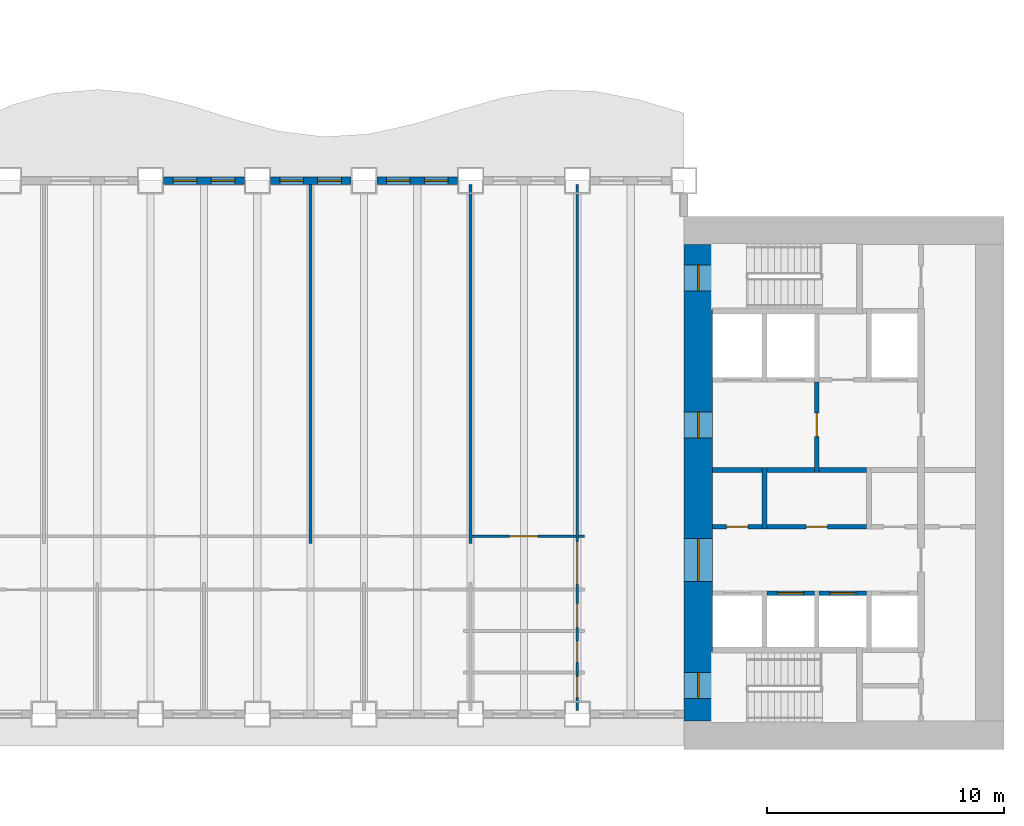
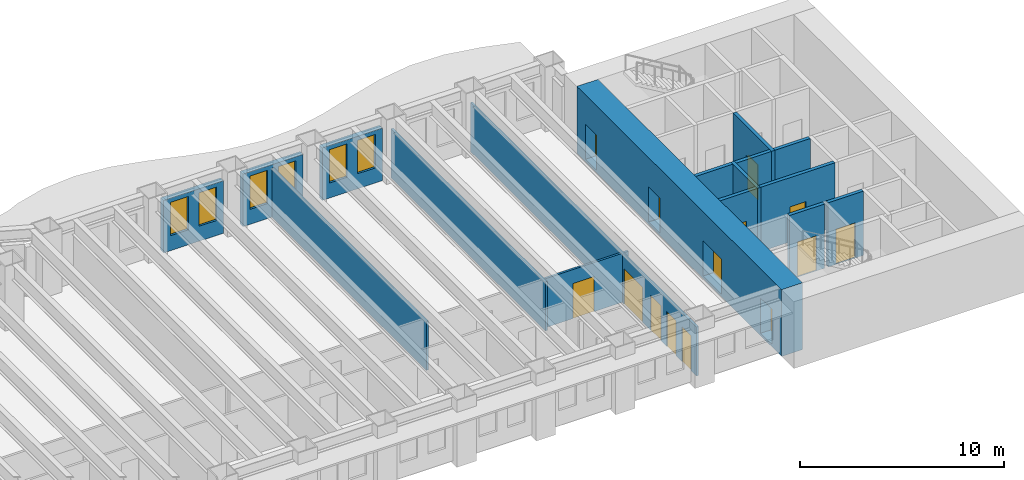
# One storey, part 6 of 17: 18 walls, 14 doors, 6 windows, 20 openings.
"""IFC4 building model written with IfcOpenShell, lengths in metres."""

from ifc_helpers import new_model, si_unit, direction, frame, frame_2d, origin, place, context, subcontext, project, spatial, rectangle, extrude, material, layer, layer_set, type_object, element, fill, save


model = new_model("IFC4")

# Units and contexts
model_context = context("Model", 3, precision=1e-05, world=origin(), true_north=direction((0.0, 1.0)))
body_context = subcontext(model_context, "Body", "Model", "MODEL_VIEW")
ifc_project = project(units=[si_unit("LENGTHUNIT", "METRE"), si_unit("AREAUNIT", "SQUARE_METRE"), si_unit("VOLUMEUNIT", "CUBIC_METRE"), si_unit("PLANEANGLEUNIT", "RADIAN"), si_unit("MASSUNIT", "GRAM", prefix="KILO")], contexts=[model_context])

# Site, building, storey
site_placement = place(None, origin())
site = spatial("IfcSite", under=ifc_project, at=site_placement, CompositionType="ELEMENT")
building_placement = place(site_placement, origin())
building = spatial("IfcBuilding", under=site, at=building_placement, Name="Sennacour Bend Tower", CompositionType="ELEMENT")
storey_placement = place(building_placement, frame((0.0, 0.0, 49.0)))
storey = spatial("IfcBuildingStorey", under=building, at=storey_placement, Name="L10", CompositionType="ELEMENT", Elevation=49.0)

# Wall, openings, doors
ifc_material_1 = material(Name="Concrete C80/95", Category="concrete")
ifc_layer_1 = layer(ifc_material_1, 1.199951171875, Name="Concrete C80/95", Category="concrete")
ifc_layer_set_1 = layer_set([ifc_layer_1], Name="Concrete C80/95")
wall_type_1 = type_object("IfcWallType", Name="Core wall 1200 C80/95", PredefinedType="SHEAR", material=ifc_layer_set_1)
wall_1_placement = place(storey_placement, frame((54.60009765625, 1.199951171875, -0.14990234375), z_axis=(0.0, 0.0, 1.0), x_axis=(0.0, 1.0, 0.0)))
wall_1 = element("IfcWall", 1, at=wall_1_placement, inside=storey, type_object=wall_type_1, Name="Core A wall L10 W", PredefinedType="SHEAR", context=body_context, shape_type="SweptSolid", body=[
    extrude(rectangle(XDim=20.10009765625, YDim=1.199951171875, at=frame_2d((10.050048828125, 0.0))), origin(), (0.0, 0.0, 1.0), 4.0),
])
opening_1_placement = place(wall_1_placement, frame((5.89990234375, 0.0, 0.14990234375)))
opening_1 = element("IfcOpeningElement", 2, at=opening_1_placement, cuts=wall_1, Name="Opening CD", PredefinedType="OPENING", context=body_context, shape_type="SweptSolid", body=[
    extrude(rectangle(XDim=1.800048828125, YDim=2.10009765625, at=frame_2d((0.89990234375, 1.050048828125))), frame((0.0, 0.60986328125, 0.0), z_axis=(0.0, -1.0, 0.0), x_axis=(1.0, 0.0, 0.0)), (0.0, 0.0, 1.0), 1.219970703125),
])
opening_2_placement = place(wall_1_placement, frame((11.949951171875, 0.0, 0.14990234375)))
opening_2 = element("IfcOpeningElement", 3, at=opening_2_placement, cuts=wall_1, Name="Opening FD", PredefinedType="OPENING", context=body_context, shape_type="SweptSolid", body=[
    extrude(rectangle(XDim=1.10009765625, YDim=2.10009765625, at=frame_2d((0.550048828125, 1.050048828125))), frame((0.0, 0.60986328125, 0.0), z_axis=(0.0, -1.0, 0.0), x_axis=(1.0, 0.0, 0.0)), (0.0, 0.0, 1.0), 1.219970703125),
])
opening_3_placement = place(wall_1_placement, frame((0.949951171875, 0.0, 0.14990234375)))
opening_3 = element("IfcOpeningElement", 4, at=opening_3_placement, cuts=wall_1, Name="Opening SD", PredefinedType="OPENING", context=body_context, shape_type="SweptSolid", body=[
    extrude(rectangle(XDim=1.10009765625, YDim=2.10009765625, at=frame_2d((0.550048828125, 1.050048828125))), frame((0.0, 0.60986328125, 0.0), z_axis=(0.0, -1.0, 0.0), x_axis=(1.0, 0.0, 0.0)), (0.0, 0.0, 1.0), 1.219970703125),
])
opening_4_placement = place(wall_1_placement, frame((18.14990234375, 0.0, 0.14990234375)))
opening_4 = element("IfcOpeningElement", 5, at=opening_4_placement, cuts=wall_1, Name="Opening SD", PredefinedType="OPENING", context=body_context, shape_type="SweptSolid", body=[
    extrude(rectangle(XDim=1.10009765625, YDim=2.10009765625, at=frame_2d((0.550048828125, 1.050048828125))), frame((0.0, 0.60986328125, 0.0), z_axis=(0.0, -1.0, 0.0), x_axis=(1.0, 0.0, 0.0)), (0.0, 0.0, 1.0), 1.219970703125),
])
ifc_material_2 = material(Name="Painted steel", Category="steel")
door_type_1 = type_object("IfcDoorType", Name="DR-FFL-1100", OperationType="NOTDEFINED", PredefinedType="DOOR", material=ifc_material_2)
door_1_placement = place(opening_2_placement, origin())
door_1 = element("IfcDoor", 6, at=door_1_placement, inside=storey, type_object=door_type_1, Name="Door", OperationType="SINGLE_SWING_RIGHT", OverallHeight=2.10009765625, OverallWidth=1.10009765625, PredefinedType="DOOR", context=body_context, shape_type="SweptSolid", body=[
    extrude(rectangle(XDim=1.10009765625, YDim=2.10009765625, at=frame_2d((0.550048828125, 1.050048828125))), frame((0.0, 0.02490234375, 0.0), z_axis=(0.0, -1.0, 0.0), x_axis=(1.0, 0.0, 0.0)), (0.0, 0.0, 1.0), 0.050048828125),
])
fill(opening_2, door_1)
door_type_2 = type_object("IfcDoorType", Name="DR-LOBBY-1800", OperationType="NOTDEFINED", PredefinedType="DOOR", material=ifc_material_2)
door_2_placement = place(opening_1_placement, origin())
door_2 = element("IfcDoor", 7, at=door_2_placement, inside=storey, type_object=door_type_2, Name="Door", OperationType="DOUBLE_DOOR_SINGLE_SWING", OverallHeight=2.10009765625, OverallWidth=1.800048828125, PredefinedType="DOOR", context=body_context, shape_type="SweptSolid", body=[
    extrude(rectangle(XDim=1.800048828125, YDim=2.10009765625, at=frame_2d((0.89990234375, 1.050048828125))), frame((0.0, 0.02490234375, 0.0), z_axis=(0.0, -1.0, 0.0), x_axis=(1.0, 0.0, 0.0)), (0.0, 0.0, 1.0), 0.050048828125),
])
fill(opening_1, door_2)
door_type_3 = type_object("IfcDoorType", Name="DR-STAIR-1100", OperationType="NOTDEFINED", PredefinedType="DOOR", material=ifc_material_2)
door_3_placement = place(opening_3_placement, origin())
door_3 = element("IfcDoor", 8, at=door_3_placement, inside=storey, type_object=door_type_3, Name="Door", OperationType="SINGLE_SWING_LEFT", OverallHeight=2.10009765625, OverallWidth=1.10009765625, PredefinedType="DOOR", context=body_context, shape_type="SweptSolid", body=[
    extrude(rectangle(XDim=1.10009765625, YDim=2.10009765625, at=frame_2d((0.550048828125, 1.050048828125))), frame((0.0, 0.02490234375, 0.0), z_axis=(0.0, -1.0, 0.0), x_axis=(1.0, 0.0, 0.0)), (0.0, 0.0, 1.0), 0.050048828125),
])
fill(opening_3, door_3)
door_4_placement = place(opening_4_placement, origin())
door_4 = element("IfcDoor", 9, at=door_4_placement, inside=storey, type_object=door_type_3, Name="Door", OperationType="SINGLE_SWING_RIGHT", OverallHeight=2.10009765625, OverallWidth=1.10009765625, PredefinedType="DOOR", context=body_context, shape_type="SweptSolid", body=[
    extrude(rectangle(XDim=1.10009765625, YDim=2.10009765625, at=frame_2d((0.550048828125, 1.050048828125))), frame((0.0, 0.02490234375, 0.0), z_axis=(0.0, -1.0, 0.0), x_axis=(1.0, 0.0, 0.0)), (0.0, 0.0, 1.0), 0.050048828125),
])
fill(opening_4, door_4)

# Walls
ifc_material_3 = material(Name="Plasterboard partition on steel studs", Category="steel")
ifc_layer_2 = layer(ifc_material_3, 0.1201171875, Name="Plasterboard partition on steel studs", Category="steel")
ifc_layer_set_2 = layer_set([ifc_layer_2], Name="Plasterboard partition on steel studs")
wall_type_2 = type_object("IfcWallType", Name="Partition 120", PredefinedType="PARTITIONING", material=ifc_layer_set_2)
for number, where, z_axis, x_axis, name in (
    (10, (38.25, 8.699951171875, 0.0), (0.0, 0.0, 1.0), (0.0, 1.0, 0.0), "P-L10-W030a"),
    (11, (45.0, 8.699951171875, 0.0), (0.0, 0.0, 1.0), (0.0, 1.0, 0.0), "P-L10-W033a"),
):
    element("IfcWall", number, at=place(storey_placement, frame(where, z_axis=z_axis, x_axis=x_axis)), inside=storey, type_object=wall_type_2, Name=name, PredefinedType="PARTITIONING", context=body_context, shape_type="SweptSolid", body=[
        extrude(rectangle(XDim=15.150146484375, YDim=0.1201171875, at=frame_2d((7.5751953125, 0.0))), origin(), (0.0, 0.0, 1.0), 2.93798828125),
    ])

# Wall, opening, door
wall_2_placement = place(storey_placement, frame((45.06005859375, 9.0, 0.0), z_axis=(0.0, 0.0, 1.0), x_axis=(1.0, 0.0, 0.0)))
wall_2 = element("IfcWall", 12, at=wall_2_placement, inside=storey, type_object=wall_type_2, Name="P-L10-W062af", PredefinedType="PARTITIONING", context=body_context, shape_type="SweptSolid", body=[
    extrude(rectangle(XDim=4.3798828125, YDim=0.1201171875, at=frame_2d((2.18994140625, 0.0))), origin(), (0.0, 0.0, 1.0), 2.93798828125),
])
opening_5_placement = place(wall_2_placement, frame((1.58984375, 0.0, 0.0)))
opening_5 = element("IfcOpeningElement", 13, at=opening_5_placement, cuts=wall_2, Name="Opening OD", PredefinedType="OPENING", context=body_context, shape_type="SweptSolid", body=[
    extrude(rectangle(XDim=1.199951171875, YDim=2.10009765625, at=frame_2d((0.60009765625, 1.050048828125))), frame((0.0, 0.070068359375, 0.0), z_axis=(0.0, -1.0, 0.0), x_axis=(1.0, 0.0, 0.0)), (0.0, 0.0, 1.0), 0.14013671875),
])
ifc_material_4 = material(Name="Timber", Category="wood")
door_type_4 = type_object("IfcDoorType", Name="DR-OFFICE-1200", OperationType="NOTDEFINED", PredefinedType="DOOR", material=ifc_material_4)
door_5_placement = place(opening_5_placement, origin())
door_5 = element("IfcDoor", 14, at=door_5_placement, inside=storey, type_object=door_type_4, Name="Door", OperationType="SINGLE_SWING_LEFT", OverallHeight=2.10009765625, OverallWidth=1.199951171875, PredefinedType="DOOR", context=body_context, shape_type="SweptSolid", body=[
    extrude(rectangle(XDim=1.199951171875, YDim=2.10009765625, at=frame_2d((0.60009765625, 1.050048828125))), frame((0.0, 0.02490234375, 0.0), z_axis=(0.0, -1.0, 0.0), x_axis=(1.0, 0.0, 0.0)), (0.0, 0.0, 1.0), 0.050048828125),
])
fill(opening_5, door_5)

# Wall
wall_3_placement = place(storey_placement, frame((49.56005859375, 9.0, 0.0), z_axis=(0.0, 0.0, 1.0), x_axis=(1.0, 0.0, 0.0)))
element("IfcWall", 15, at=wall_3_placement, inside=storey, type_object=wall_type_2, Name="P-L10-W062ag", PredefinedType="PARTITIONING", context=body_context, shape_type="SweptSolid", body=[
    extrude(rectangle(XDim=0.239990234375, YDim=0.1201171875, at=frame_2d((0.1201171875, 0.0))), origin(), (0.0, 0.0, 1.0), 2.93798828125),
])

# Wall, openings, doors
ifc_layer_3 = layer(ifc_material_3, 0.1201171875, Name="Plasterboard partition on steel studs", Category="steel")
ifc_layer_set_3 = layer_set([ifc_layer_3], Name="Plasterboard partition on steel studs")
wall_type_3 = type_object("IfcWallType", Name="Partition 120 EI 30", PredefinedType="PARTITIONING", material=ifc_layer_set_3)
wall_4_placement = place(storey_placement, frame((49.5, 1.64990234375, 0.0), z_axis=(0.0, 0.0, 1.0), x_axis=(0.0, 1.0, 0.0)))
wall_4 = element("IfcWall", 16, at=wall_4_placement, inside=storey, type_object=wall_type_3, Name="P-L10-W034a", PredefinedType="PARTITIONING", context=body_context, shape_type="SweptSolid", body=[
    extrude(rectangle(XDim=22.2001953125, YDim=0.1201171875, at=frame_2d((11.10009765625, 0.0))), origin(), (0.0, 0.0, 1.0), 2.93798828125),
])
opening_6_placement = place(wall_4_placement, frame((5.3251953125, 0.0, 0.0)))
opening_6 = element("IfcOpeningElement", 17, at=opening_6_placement, cuts=wall_4, Name="Opening KD3", PredefinedType="OPENING", context=body_context, shape_type="SweptSolid", body=[
    extrude(rectangle(XDim=1.800048828125, YDim=2.10009765625, at=frame_2d((0.89990234375, 1.050048828125))), frame((0.0, 0.070068359375, 0.0), z_axis=(0.0, -1.0, 0.0), x_axis=(1.0, 0.0, 0.0)), (0.0, 0.0, 1.0), 0.14013671875),
])
opening_7_placement = place(wall_4_placement, frame((0.5400390625, 0.0, 0.0)))
opening_7 = element("IfcOpeningElement", 18, at=opening_7_placement, cuts=wall_4, Name="Opening WD", PredefinedType="OPENING", context=body_context, shape_type="SweptSolid", body=[
    extrude(rectangle(XDim=0.89990234375, YDim=2.10009765625, at=frame_2d((0.449951171875, 1.050048828125))), frame((0.0, 0.070068359375, 0.0), z_axis=(0.0, -1.0, 0.0), x_axis=(1.0, 0.0, 0.0)), (0.0, 0.0, 1.0), 0.14013671875),
])
opening_8_placement = place(wall_4_placement, frame((2.025146484375, 0.0, 0.0)))
opening_8 = element("IfcOpeningElement", 19, at=opening_8_placement, cuts=wall_4, Name="Opening WD", PredefinedType="OPENING", context=body_context, shape_type="SweptSolid", body=[
    extrude(rectangle(XDim=0.89990234375, YDim=2.10009765625, at=frame_2d((0.449951171875, 1.050048828125))), frame((0.0, 0.070068359375, 0.0), z_axis=(0.0, -1.0, 0.0), x_axis=(1.0, 0.0, 0.0)), (0.0, 0.0, 1.0), 0.14013671875),
])
opening_9_placement = place(wall_4_placement, frame((3.510009765625, 0.0, 0.0)))
opening_9 = element("IfcOpeningElement", 20, at=opening_9_placement, cuts=wall_4, Name="Opening AD", PredefinedType="OPENING", context=body_context, shape_type="SweptSolid", body=[
    extrude(rectangle(XDim=1.0, YDim=2.10009765625, at=frame_2d((0.5, 1.050048828125))), frame((0.0, 0.070068359375, 0.0), z_axis=(0.0, -1.0, 0.0), x_axis=(1.0, 0.0, 0.0)), (0.0, 0.0, 1.0), 0.14013671875),
])
door_type_5 = type_object("IfcDoorType", Name="DR-ACC-WC-1000", OperationType="NOTDEFINED", PredefinedType="DOOR", material=ifc_material_4)
door_6_placement = place(opening_9_placement, origin())
door_6 = element("IfcDoor", 21, at=door_6_placement, inside=storey, type_object=door_type_5, Name="Door", OperationType="SINGLE_SWING_LEFT", OverallHeight=2.10009765625, OverallWidth=1.0, PredefinedType="DOOR", context=body_context, shape_type="SweptSolid", body=[
    extrude(rectangle(XDim=1.0, YDim=2.10009765625, at=frame_2d((0.5, 1.050048828125))), frame((0.0, 0.02490234375, 0.0), z_axis=(0.0, -1.0, 0.0), x_axis=(1.0, 0.0, 0.0)), (0.0, 0.0, 1.0), 0.050048828125),
])
fill(opening_9, door_6)
door_type_6 = type_object("IfcDoorType", Name="DR-CORRIDOR-1800", OperationType="NOTDEFINED", PredefinedType="DOOR", material=ifc_material_2)
door_7_placement = place(opening_6_placement, origin())
door_7 = element("IfcDoor", 22, at=door_7_placement, inside=storey, type_object=door_type_6, Name="Door", OperationType="DOUBLE_DOOR_SINGLE_SWING", OverallHeight=2.10009765625, OverallWidth=1.800048828125, PredefinedType="DOOR", context=body_context, shape_type="SweptSolid", body=[
    extrude(rectangle(XDim=1.800048828125, YDim=2.10009765625, at=frame_2d((0.89990234375, 1.050048828125))), frame((0.0, 0.02490234375, 0.0), z_axis=(0.0, -1.0, 0.0), x_axis=(1.0, 0.0, 0.0)), (0.0, 0.0, 1.0), 0.050048828125),
])
fill(opening_6, door_7)
door_type_7 = type_object("IfcDoorType", Name="DR-WC-900", OperationType="NOTDEFINED", PredefinedType="DOOR", material=ifc_material_4)
door_8_placement = place(opening_7_placement, origin())
door_8 = element("IfcDoor", 23, at=door_8_placement, inside=storey, type_object=door_type_7, Name="Door", OperationType="SINGLE_SWING_LEFT", OverallHeight=2.10009765625, OverallWidth=0.89990234375, PredefinedType="DOOR", context=body_context, shape_type="SweptSolid", body=[
    extrude(rectangle(XDim=0.89990234375, YDim=2.10009765625, at=frame_2d((0.449951171875, 1.050048828125))), frame((0.0, 0.02490234375, 0.0), z_axis=(0.0, -1.0, 0.0), x_axis=(1.0, 0.0, 0.0)), (0.0, 0.0, 1.0), 0.050048828125),
])
fill(opening_7, door_8)
door_9_placement = place(opening_8_placement, origin())
door_9 = element("IfcDoor", 24, at=door_9_placement, inside=storey, type_object=door_type_7, Name="Door", OperationType="SINGLE_SWING_LEFT", OverallHeight=2.10009765625, OverallWidth=0.89990234375, PredefinedType="DOOR", context=body_context, shape_type="SweptSolid", body=[
    extrude(rectangle(XDim=0.89990234375, YDim=2.10009765625, at=frame_2d((0.449951171875, 1.050048828125))), frame((0.0, 0.02490234375, 0.0), z_axis=(0.0, -1.0, 0.0), x_axis=(1.0, 0.0, 0.0)), (0.0, 0.0, 1.0), 0.050048828125),
])
fill(opening_8, door_9)

# Wall
ifc_material_5 = material(Name="Fire-rated plasterboard partition on steel studs", Category="steel")
ifc_layer_4 = layer(ifc_material_5, 0.199951171875, Name="Fire-rated plasterboard partition on steel studs", Category="steel")
ifc_layer_set_4 = layer_set([ifc_layer_4], Name="Fire-rated plasterboard partition on steel studs")
wall_type_4 = type_object("IfcWallType", Name="Rated partition 200", PredefinedType="PARTITIONING", material=ifc_layer_set_4)
wall_5_placement = place(storey_placement, frame((57.39990234375, 9.300048828125, 0.0), z_axis=(0.0, 0.0, 1.0), x_axis=(0.0, 1.0, 0.0)))
element("IfcWall", 25, at=wall_5_placement, inside=storey, type_object=wall_type_4, Name="P-L10-W037", PredefinedType="PARTITIONING", context=body_context, shape_type="SweptSolid", body=[
    extrude(rectangle(XDim=2.599853515625, YDim=0.199951171875, at=frame_2d((1.2998046875, 0.0))), origin(), (0.0, 0.0, 1.0), 3.85009765625),
])

# Wall, opening, door
wall_6_placement = place(storey_placement, frame((55.199951171875, 9.39990234375, 0.0), z_axis=(0.0, 0.0, 1.0), x_axis=(1.0, 0.0, 0.0)))
wall_6 = element("IfcWall", 26, at=wall_6_placement, inside=storey, type_object=wall_type_4, Name="P-L10-W063a", PredefinedType="PARTITIONING", context=body_context, shape_type="SweptSolid", body=[
    extrude(rectangle(XDim=2.10009765625, YDim=0.199951171875, at=frame_2d((1.050048828125, 0.0))), origin(), (0.0, 0.0, 1.0), 3.85009765625),
])
opening_10_placement = place(wall_6_placement, frame((0.60009765625, 0.0, 0.0)))
opening_10 = element("IfcOpeningElement", 27, at=opening_10_placement, cuts=wall_6, Name="Opening SV", PredefinedType="OPENING", context=body_context, shape_type="SweptSolid", body=[
    extrude(rectangle(XDim=0.89990234375, YDim=2.10009765625, at=frame_2d((0.449951171875, 1.050048828125))), frame((0.0, 0.10986328125, 0.0), z_axis=(0.0, -1.0, 0.0), x_axis=(1.0, 0.0, 0.0)), (0.0, 0.0, 1.0), 0.219970703125),
])
door_type_8 = type_object("IfcDoorType", Name="DR-SERVICE-900", OperationType="NOTDEFINED", PredefinedType="DOOR", material=ifc_material_2)
door_10_placement = place(opening_10_placement, origin())
door_10 = element("IfcDoor", 28, at=door_10_placement, inside=storey, type_object=door_type_8, Name="Door", OperationType="SINGLE_SWING_LEFT", OverallHeight=2.10009765625, OverallWidth=0.89990234375, PredefinedType="DOOR", context=body_context, shape_type="SweptSolid", body=[
    extrude(rectangle(XDim=0.89990234375, YDim=2.10009765625, at=frame_2d((0.449951171875, 1.050048828125))), frame((0.0, 0.02490234375, 0.0), z_axis=(0.0, -1.0, 0.0), x_axis=(1.0, 0.0, 0.0)), (0.0, 0.0, 1.0), 0.050048828125),
])
fill(opening_10, door_10)

wall_7_placement = place(storey_placement, frame((57.5, 9.39990234375, 0.0), z_axis=(0.0, 0.0, 1.0), x_axis=(1.0, 0.0, 0.0)))
wall_7 = element("IfcWall", 29, at=wall_7_placement, inside=storey, type_object=wall_type_4, Name="P-L10-W063b", PredefinedType="PARTITIONING", context=body_context, shape_type="SweptSolid", body=[
    extrude(rectangle(XDim=4.199951171875, YDim=0.199951171875, at=frame_2d((2.10009765625, 0.0))), origin(), (0.0, 0.0, 1.0), 3.85009765625),
])
opening_11_placement = place(wall_7_placement, frame((1.64990234375, 0.0, 0.0)))
opening_11 = element("IfcOpeningElement", 30, at=opening_11_placement, cuts=wall_7, Name="Opening WD", PredefinedType="OPENING", context=body_context, shape_type="SweptSolid", body=[
    extrude(rectangle(XDim=0.89990234375, YDim=2.10009765625, at=frame_2d((0.449951171875, 1.050048828125))), frame((0.0, 0.10986328125, 0.0), z_axis=(0.0, -1.0, 0.0), x_axis=(1.0, 0.0, 0.0)), (0.0, 0.0, 1.0), 0.219970703125),
])
door_11_placement = place(opening_11_placement, origin())
door_11 = element("IfcDoor", 31, at=door_11_placement, inside=storey, type_object=door_type_7, Name="Door", OperationType="SINGLE_SWING_RIGHT", OverallHeight=2.10009765625, OverallWidth=0.89990234375, PredefinedType="DOOR", context=body_context, shape_type="SweptSolid", body=[
    extrude(rectangle(XDim=0.89990234375, YDim=2.10009765625, at=frame_2d((0.449951171875, 1.050048828125))), frame((0.0, 0.02490234375, 0.0), z_axis=(0.0, -1.0, 0.0), x_axis=(1.0, 0.0, 0.0)), (0.0, 0.0, 1.0), 0.050048828125),
])
fill(opening_11, door_11)

# Walls
wall_8_placement = place(storey_placement, frame((55.199951171875, 11.800048828125, 0.0), z_axis=(0.0, 0.0, 1.0), x_axis=(1.0, 0.0, 0.0)))
element("IfcWall", 32, at=wall_8_placement, inside=storey, type_object=wall_type_4, Name="P-L10-W064a", PredefinedType="PARTITIONING", context=body_context, shape_type="SweptSolid", body=[
    extrude(rectangle(XDim=2.10009765625, YDim=0.199951171875, at=frame_2d((1.050048828125, 0.0))), origin(), (0.0, 0.0, 1.0), 3.85009765625),
])
for number, where, z_axis, x_axis, name in (
    (33, (57.5, 11.800048828125, 0.0), (0.0, 0.0, 1.0), (1.0, 0.0, 0.0), "P-L10-W064b"),
    (34, (59.699951171875, 11.800048828125, 0.0), (0.0, 0.0, 1.0), (1.0, 0.0, 0.0), "P-L10-W064c"),
):
    element("IfcWall", number, at=place(storey_placement, frame(where, z_axis=z_axis, x_axis=x_axis)), inside=storey, type_object=wall_type_4, Name=name, PredefinedType="PARTITIONING", context=body_context, shape_type="SweptSolid", body=[
        extrude(rectangle(XDim=2.0, YDim=0.199951171875, at=frame_2d((1.0, 0.0))), origin(), (0.0, 0.0, 1.0), 3.85009765625),
    ])

# Wall, opening, door
ifc_layer_5 = layer(ifc_material_5, 0.199951171875, Name="Fire-rated plasterboard partition on steel studs", Category="steel")
ifc_layer_set_5 = layer_set([ifc_layer_5], Name="Fire-rated plasterboard partition on steel studs")
wall_type_5 = type_object("IfcWallType", Name="Rated partition 200 EI 90", PredefinedType="PARTITIONING", material=ifc_layer_set_5)
wall_9_placement = place(storey_placement, frame((59.60009765625, 11.699951171875, 0.0), z_axis=(0.0, 0.0, 1.0), x_axis=(0.0, 1.0, 0.0)))
wall_9 = element("IfcWall", 35, at=wall_9_placement, inside=storey, type_object=wall_type_5, Name="P-L10-W040", PredefinedType="PARTITIONING", context=body_context, shape_type="SweptSolid", body=[
    extrude(rectangle(XDim=3.800048828125, YDim=0.199951171875, at=frame_2d((1.89990234375, 0.0))), origin(), (0.0, 0.0, 1.0), 3.85009765625),
])
opening_12_placement = place(wall_9_placement, frame((1.5, 0.0, 0.0)))
opening_12 = element("IfcOpeningElement", 36, at=opening_12_placement, cuts=wall_9, Name="Opening FD2", PredefinedType="OPENING", context=body_context, shape_type="SweptSolid", body=[
    extrude(rectangle(XDim=1.0, YDim=2.10009765625, at=frame_2d((0.5, 1.050048828125))), frame((0.0, 0.10986328125, 0.0), z_axis=(0.0, -1.0, 0.0), x_axis=(1.0, 0.0, 0.0)), (0.0, 0.0, 1.0), 0.219970703125),
])
door_type_9 = type_object("IfcDoorType", Name="DR-FFL-1000", OperationType="NOTDEFINED", PredefinedType="DOOR", material=ifc_material_2)
door_12_placement = place(opening_12_placement, origin())
door_12 = element("IfcDoor", 37, at=door_12_placement, inside=storey, type_object=door_type_9, Name="Door", OperationType="SINGLE_SWING_RIGHT", OverallHeight=2.10009765625, OverallWidth=1.0, PredefinedType="DOOR", context=body_context, shape_type="SweptSolid", body=[
    extrude(rectangle(XDim=1.0, YDim=2.10009765625, at=frame_2d((0.5, 1.050048828125))), frame((0.0, 0.02490234375, 0.0), z_axis=(0.0, -1.0, 0.0), x_axis=(1.0, 0.0, 0.0)), (0.0, 0.0, 1.0), 0.050048828125),
])
fill(opening_12, door_12)

# Wall, openings, windows
ifc_material_6 = material(Name="Warm limestone cladding", Category="masonry")
ifc_layer_6 = layer(ifc_material_6, 0.050048828125, Name="Warm limestone cladding", Category="masonry")
ifc_material_7 = material(Name="Precast concrete C40/50", Category="concrete")
ifc_layer_7 = layer(ifc_material_7, 0.25, Name="Precast concrete C40/50", Category="concrete")
ifc_layer_set_6 = layer_set([ifc_layer_6, ifc_layer_7], Name="Precast concrete C40/50 with limestone cladding")
wall_type_6 = type_object("IfcWallType", Name="STONE-CLAD PRECAST SPANDREL 300", PredefinedType="STANDARD", material=ifc_layer_set_6)
wall_10_placement = place(storey_placement, frame((44.449951171875, 24.0, 0.0), z_axis=(0.0, 0.0, 1.0), x_axis=(-1.0, 0.0, 0.0)))
wall_10 = element("IfcWall", 38, at=wall_10_placement, inside=storey, type_object=wall_type_6, Name="Stone spandrel and pier wall L10 08.02", PredefinedType="STANDARD", context=body_context, shape_type="SweptSolid", body=[
    extrude(rectangle(XDim=3.39990234375, YDim=0.300048828125, at=frame_2d((1.699951171875, 0.0))), origin(), (0.0, 0.0, 1.0), 3.14404296875),
])
opening_13_placement = place(wall_10_placement, frame((0.39990234375, 0.0, 0.89990234375)))
opening_13 = element("IfcOpeningElement", 39, at=opening_13_placement, cuts=wall_10, Name="Opening W8", PredefinedType="OPENING", context=body_context, shape_type="SweptSolid", body=[
    extrude(rectangle(XDim=1.0, YDim=2.0, at=frame_2d((0.5, 1.0))), frame((0.0, 0.16015625, 0.0), z_axis=(0.0, -1.0, 0.0), x_axis=(1.0, 0.0, 0.0)), (0.0, 0.0, 1.0), 0.320068359375),
])
opening_14_placement = place(wall_10_placement, frame((2.0, 0.0, 0.89990234375)))
opening_14 = element("IfcOpeningElement", 40, at=opening_14_placement, cuts=wall_10, Name="Opening W8", PredefinedType="OPENING", context=body_context, shape_type="SweptSolid", body=[
    extrude(rectangle(XDim=1.0, YDim=2.0, at=frame_2d((0.5, 1.0))), frame((0.0, 0.16015625, 0.0), z_axis=(0.0, -1.0, 0.0), x_axis=(1.0, 0.0, 0.0)), (0.0, 0.0, 1.0), 0.320068359375),
])
ifc_material_8 = material(Name="Clear low-emissivity glass", Category="glass")
window_type = type_object("IfcWindowType", Name="WIN-RIBBON-1000x2000", PartitioningType="SINGLE_PANEL", PredefinedType="WINDOW", material=ifc_material_8)
window_1_placement = place(opening_13_placement, origin())
window_1 = element("IfcWindow", 41, at=window_1_placement, inside=storey, type_object=window_type, Name="Ribbon window L10 08.02.0", OverallHeight=2.0, OverallWidth=1.0, PartitioningType="SINGLE_PANEL", PredefinedType="WINDOW", context=body_context, shape_type="SweptSolid", body=[
    extrude(rectangle(XDim=1.0, YDim=2.0, at=frame_2d((0.5, 1.0))), frame((0.0, 0.030029296875, 0.0), z_axis=(0.0, -1.0, 0.0), x_axis=(1.0, 0.0, 0.0)), (0.0, 0.0, 1.0), 0.06005859375),
])
fill(opening_13, window_1)
window_2_placement = place(opening_14_placement, origin())
window_2 = element("IfcWindow", 42, at=window_2_placement, inside=storey, type_object=window_type, Name="Ribbon window L10 08.02.1", OverallHeight=2.0, OverallWidth=1.0, PartitioningType="SINGLE_PANEL", PredefinedType="WINDOW", context=body_context, shape_type="SweptSolid", body=[
    extrude(rectangle(XDim=1.0, YDim=2.0, at=frame_2d((0.5, 1.0))), frame((0.0, 0.030029296875, 0.0), z_axis=(0.0, -1.0, 0.0), x_axis=(1.0, 0.0, 0.0)), (0.0, 0.0, 1.0), 0.06005859375),
])
fill(opening_14, window_2)

wall_11_placement = place(storey_placement, frame((39.949951171875, 24.0, 0.0), z_axis=(0.0, 0.0, 1.0), x_axis=(-1.0, 0.0, 0.0)))
wall_11 = element("IfcWall", 43, at=wall_11_placement, inside=storey, type_object=wall_type_6, Name="Stone spandrel and pier wall L10 08.03", PredefinedType="STANDARD", context=body_context, shape_type="SweptSolid", body=[
    extrude(rectangle(XDim=3.39990234375, YDim=0.300048828125, at=frame_2d((1.699951171875, 0.0))), origin(), (0.0, 0.0, 1.0), 3.14404296875),
])
opening_15_placement = place(wall_11_placement, frame((0.39990234375, 0.0, 0.89990234375)))
opening_15 = element("IfcOpeningElement", 44, at=opening_15_placement, cuts=wall_11, Name="Opening W8", PredefinedType="OPENING", context=body_context, shape_type="SweptSolid", body=[
    extrude(rectangle(XDim=1.0, YDim=2.0, at=frame_2d((0.5, 1.0))), frame((0.0, 0.16015625, 0.0), z_axis=(0.0, -1.0, 0.0), x_axis=(1.0, 0.0, 0.0)), (0.0, 0.0, 1.0), 0.320068359375),
])
opening_16_placement = place(wall_11_placement, frame((2.0, 0.0, 0.89990234375)))
opening_16 = element("IfcOpeningElement", 45, at=opening_16_placement, cuts=wall_11, Name="Opening W8", PredefinedType="OPENING", context=body_context, shape_type="SweptSolid", body=[
    extrude(rectangle(XDim=1.0, YDim=2.0, at=frame_2d((0.5, 1.0))), frame((0.0, 0.16015625, 0.0), z_axis=(0.0, -1.0, 0.0), x_axis=(1.0, 0.0, 0.0)), (0.0, 0.0, 1.0), 0.320068359375),
])
window_3_placement = place(opening_15_placement, origin())
window_3 = element("IfcWindow", 46, at=window_3_placement, inside=storey, type_object=window_type, Name="Ribbon window L10 08.03.0", OverallHeight=2.0, OverallWidth=1.0, PartitioningType="SINGLE_PANEL", PredefinedType="WINDOW", context=body_context, shape_type="SweptSolid", body=[
    extrude(rectangle(XDim=1.0, YDim=2.0, at=frame_2d((0.5, 1.0))), frame((0.0, 0.030029296875, 0.0), z_axis=(0.0, -1.0, 0.0), x_axis=(1.0, 0.0, 0.0)), (0.0, 0.0, 1.0), 0.06005859375),
])
fill(opening_15, window_3)
window_4_placement = place(opening_16_placement, origin())
window_4 = element("IfcWindow", 47, at=window_4_placement, inside=storey, type_object=window_type, Name="Ribbon window L10 08.03.1", OverallHeight=2.0, OverallWidth=1.0, PartitioningType="SINGLE_PANEL", PredefinedType="WINDOW", context=body_context, shape_type="SweptSolid", body=[
    extrude(rectangle(XDim=1.0, YDim=2.0, at=frame_2d((0.5, 1.0))), frame((0.0, 0.030029296875, 0.0), z_axis=(0.0, -1.0, 0.0), x_axis=(1.0, 0.0, 0.0)), (0.0, 0.0, 1.0), 0.06005859375),
])
fill(opening_16, window_4)

wall_12_placement = place(storey_placement, frame((35.449951171875, 24.0, 0.0), z_axis=(0.0, 0.0, 1.0), x_axis=(-1.0, 0.0, 0.0)))
wall_12 = element("IfcWall", 48, at=wall_12_placement, inside=storey, type_object=wall_type_6, Name="Stone spandrel and pier wall L10 08.04", PredefinedType="STANDARD", context=body_context, shape_type="SweptSolid", body=[
    extrude(rectangle(XDim=3.39990234375, YDim=0.300048828125, at=frame_2d((1.699951171875, 0.0))), origin(), (0.0, 0.0, 1.0), 3.14404296875),
])
opening_17_placement = place(wall_12_placement, frame((0.39990234375, 0.0, 0.89990234375)))
opening_17 = element("IfcOpeningElement", 49, at=opening_17_placement, cuts=wall_12, Name="Opening W8", PredefinedType="OPENING", context=body_context, shape_type="SweptSolid", body=[
    extrude(rectangle(XDim=1.0, YDim=2.0, at=frame_2d((0.5, 1.0))), frame((0.0, 0.16015625, 0.0), z_axis=(0.0, -1.0, 0.0), x_axis=(1.0, 0.0, 0.0)), (0.0, 0.0, 1.0), 0.320068359375),
])
opening_18_placement = place(wall_12_placement, frame((2.0, 0.0, 0.89990234375)))
opening_18 = element("IfcOpeningElement", 50, at=opening_18_placement, cuts=wall_12, Name="Opening W8", PredefinedType="OPENING", context=body_context, shape_type="SweptSolid", body=[
    extrude(rectangle(XDim=1.0, YDim=2.0, at=frame_2d((0.5, 1.0))), frame((0.0, 0.16015625, 0.0), z_axis=(0.0, -1.0, 0.0), x_axis=(1.0, 0.0, 0.0)), (0.0, 0.0, 1.0), 0.320068359375),
])
window_5_placement = place(opening_17_placement, origin())
window_5 = element("IfcWindow", 51, at=window_5_placement, inside=storey, type_object=window_type, Name="Ribbon window L10 08.04.0", OverallHeight=2.0, OverallWidth=1.0, PartitioningType="SINGLE_PANEL", PredefinedType="WINDOW", context=body_context, shape_type="SweptSolid", body=[
    extrude(rectangle(XDim=1.0, YDim=2.0, at=frame_2d((0.5, 1.0))), frame((0.0, 0.030029296875, 0.0), z_axis=(0.0, -1.0, 0.0), x_axis=(1.0, 0.0, 0.0)), (0.0, 0.0, 1.0), 0.06005859375),
])
fill(opening_17, window_5)
window_6_placement = place(opening_18_placement, origin())
window_6 = element("IfcWindow", 52, at=window_6_placement, inside=storey, type_object=window_type, Name="Ribbon window L10 08.04.1", OverallHeight=2.0, OverallWidth=1.0, PartitioningType="SINGLE_PANEL", PredefinedType="WINDOW", context=body_context, shape_type="SweptSolid", body=[
    extrude(rectangle(XDim=1.0, YDim=2.0, at=frame_2d((0.5, 1.0))), frame((0.0, 0.030029296875, 0.0), z_axis=(0.0, -1.0, 0.0), x_axis=(1.0, 0.0, 0.0)), (0.0, 0.0, 1.0), 0.06005859375),
])
fill(opening_18, window_6)

# Wall, opening, door
ifc_material_9 = material(Name="Concrete C50/60", Category="concrete")
ifc_layer_8 = layer(ifc_material_9, 0.199951171875, Name="Concrete C50/60", Category="concrete")
ifc_layer_set_7 = layer_set([ifc_layer_8], Name="Concrete C50/60")
wall_type_7 = type_object("IfcWallType", Name="Shaft wall 200", PredefinedType="SOLIDWALL", material=ifc_layer_set_7)
wall_13_placement = place(storey_placement, frame((57.5, 6.60009765625, 0.0), z_axis=(0.0, 0.0, 1.0), x_axis=(1.0, 0.0, 0.0)))
wall_13 = element("IfcWall", 53, at=wall_13_placement, inside=storey, type_object=wall_type_7, Name="P-L10-W060b", PredefinedType="SOLIDWALL", context=body_context, shape_type="SweptSolid", body=[
    extrude(rectangle(XDim=2.0, YDim=0.199951171875, at=frame_2d((1.0, 0.0))), origin(), (0.0, 0.0, 1.0), 3.85009765625),
])
opening_19_placement = place(wall_13_placement, frame((0.449951171875, 0.0, 0.011962890625)))
opening_19 = element("IfcOpeningElement", 54, at=opening_19_placement, cuts=wall_13, Name="Opening LD", PredefinedType="OPENING", context=body_context, shape_type="SweptSolid", body=[
    extrude(rectangle(XDim=1.10009765625, YDim=2.10009765625, at=frame_2d((0.550048828125, 1.050048828125))), frame((0.0, 0.10986328125, 0.0), z_axis=(0.0, -1.0, 0.0), x_axis=(1.0, 0.0, 0.0)), (0.0, 0.0, 1.0), 0.219970703125),
])
ifc_material_10 = material(Name="Stainless steel", Category="steel")
door_type_10 = type_object("IfcDoorType", Name="DR-LANDING-1100", OperationType="NOTDEFINED", PredefinedType="DOOR", material=ifc_material_10)
door_13_placement = place(opening_19_placement, origin())
door_13 = element("IfcDoor", 55, at=door_13_placement, inside=storey, type_object=door_type_10, Name="Lift landing door LA2", OperationType="SLIDING_TO_RIGHT", OverallHeight=2.10009765625, OverallWidth=1.10009765625, PredefinedType="DOOR", context=body_context, shape_type="SweptSolid", body=[
    extrude(rectangle(XDim=1.10009765625, YDim=2.10009765625, at=frame_2d((0.550048828125, 1.050048828125))), frame((0.0, 0.02490234375, 0.0), z_axis=(0.0, -1.0, 0.0), x_axis=(1.0, 0.0, 0.0)), (0.0, 0.0, 1.0), 0.050048828125),
])
fill(opening_19, door_13)

wall_14_placement = place(storey_placement, frame((59.699951171875, 6.60009765625, 0.0), z_axis=(0.0, 0.0, 1.0), x_axis=(1.0, 0.0, 0.0)))
wall_14 = element("IfcWall", 56, at=wall_14_placement, inside=storey, type_object=wall_type_7, Name="P-L10-W060c", PredefinedType="SOLIDWALL", context=body_context, shape_type="SweptSolid", body=[
    extrude(rectangle(XDim=2.0, YDim=0.199951171875, at=frame_2d((1.0, 0.0))), origin(), (0.0, 0.0, 1.0), 3.85009765625),
])
opening_20_placement = place(wall_14_placement, frame((0.449951171875, 0.0, 0.011962890625)))
opening_20 = element("IfcOpeningElement", 57, at=opening_20_placement, cuts=wall_14, Name="Opening LD", PredefinedType="OPENING", context=body_context, shape_type="SweptSolid", body=[
    extrude(rectangle(XDim=1.10009765625, YDim=2.10009765625, at=frame_2d((0.550048828125, 1.050048828125))), frame((0.0, 0.10986328125, 0.0), z_axis=(0.0, -1.0, 0.0), x_axis=(1.0, 0.0, 0.0)), (0.0, 0.0, 1.0), 0.219970703125),
])
door_14_placement = place(opening_20_placement, origin())
door_14 = element("IfcDoor", 58, at=door_14_placement, inside=storey, type_object=door_type_10, Name="Lift landing door LA3", OperationType="SLIDING_TO_LEFT", OverallHeight=2.10009765625, OverallWidth=1.10009765625, PredefinedType="DOOR", context=body_context, shape_type="SweptSolid", body=[
    extrude(rectangle(XDim=1.10009765625, YDim=2.10009765625, at=frame_2d((0.550048828125, 1.050048828125))), frame((0.0, 0.02490234375, 0.0), z_axis=(0.0, -1.0, 0.0), x_axis=(1.0, 0.0, 0.0)), (0.0, 0.0, 1.0), 0.050048828125),
])
fill(opening_20, door_14)

save(model, "model.ifc")
